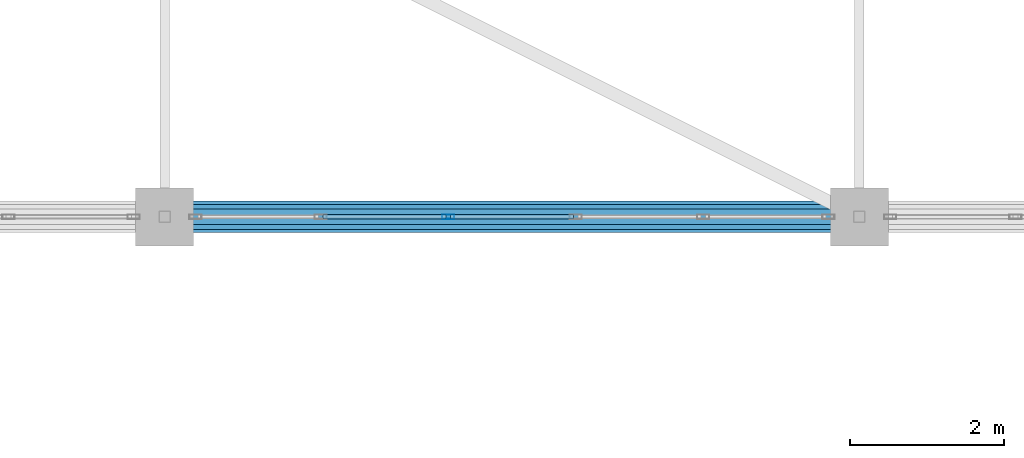
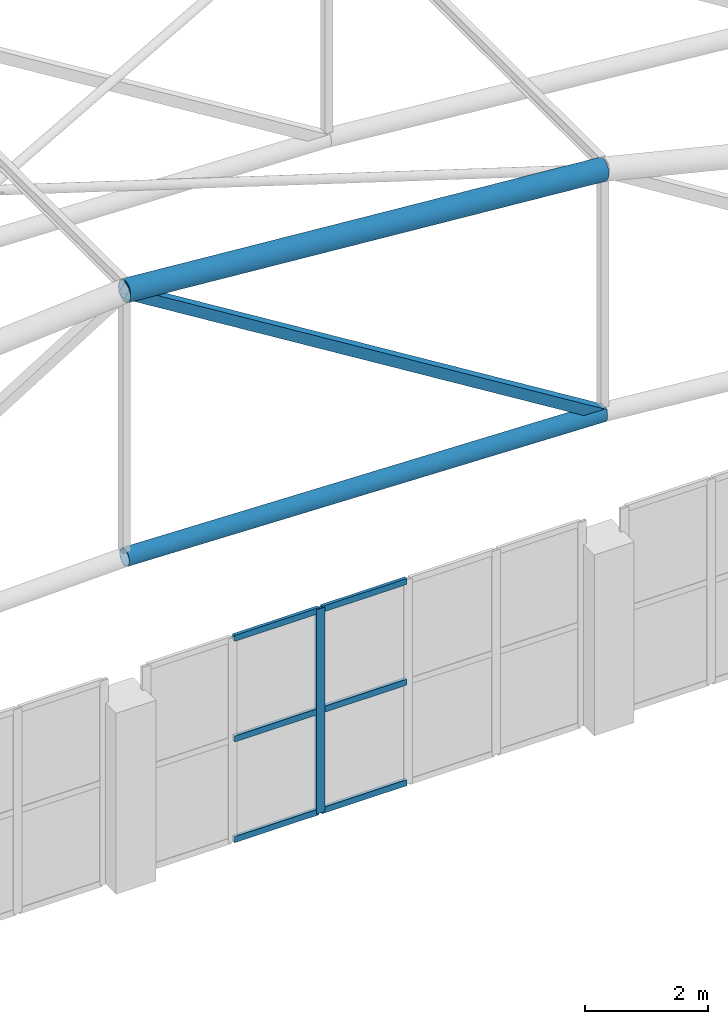
# One storey, part 8 of 167: 10 members, 1 element without a shape of its own.
"""IFC4 building model written with IfcOpenShell, lengths in metres."""

from ifc_helpers import new_model, si_unit, direction, frame, origin, origin_2d, place, context, subcontext, project, spatial, hollow_rectangle, hollow_circle, extrude, material, layer, layer_set, material_profile, profile_set, type_object, element, aggregate, save


model = new_model("IFC4")

# Units and contexts
model_context = context("Model", 3, precision=1e-05, world=origin(), true_north=direction((0.0, 1.0)))
body_context = subcontext(model_context, "Body", "Model", "MODEL_VIEW")
ifc_project = project(units=[si_unit("LENGTHUNIT", "METRE"), si_unit("AREAUNIT", "SQUARE_METRE"), si_unit("VOLUMEUNIT", "CUBIC_METRE"), si_unit("PLANEANGLEUNIT", "RADIAN"), si_unit("MASSUNIT", "GRAM", prefix="KILO")], contexts=[model_context])

# Site, building, storey
site_placement = place(None, origin())
site = spatial("IfcSite", under=ifc_project, at=site_placement, CompositionType="ELEMENT")
building_placement = place(site_placement, origin())
building = spatial("IfcBuilding", under=site, at=building_placement, Name="Dornveld Trade and Exhibition Forum", CompositionType="ELEMENT")
storey_placement = place(building_placement, frame((0.0, 0.0, 16.800048828125)))
storey = spatial("IfcBuildingStorey", under=building, at=storey_placement, Name="L03", CompositionType="ELEMENT", Elevation=16.800048828125)

# Curtain wall, members
ifc_material_1 = material(Name="Dark-bronze anodised aluminium and low-E glass", Category="aluminium")
ifc_layer = layer(ifc_material_1, 0.14501953125)
ifc_layer_set = layer_set([ifc_layer], Name="Dark-bronze anodised aluminium and low-E glass")
curtain_wall_type = type_object("IfcCurtainWallType", Name="CW-SYS-01", PredefinedType="USERDEFINED", material=ifc_layer_set)
curtain_wall_placement = place(storey_placement, origin())
curtain_wall = element("IfcCurtainWall", 1, at=curtain_wall_placement, inside=storey, type_object=curtain_wall_type, Name="L03 unitised curtain wall 37", ObjectType="UNITISED_CURTAIN_WALL", PredefinedType="USERDEFINED")
ifc_material_2 = material(Name="Dark-bronze anodised aluminium", Category="aluminium")
ifc_material_profile_1 = material_profile(ifc_material_2, hollow_rectangle(XDim=0.06005859375, YDim=0.159912109375, WallThickness=0.00390625, at=origin_2d()), Name="RHS 160x60x4")
ifc_profile_set_1 = profile_set([ifc_material_profile_1], Name="Dark-bronze anodised aluminium")
member_type_1 = type_object("IfcMemberType", Name="CW-MUL-160", PredefinedType="MULLION", material=ifc_profile_set_1)
member_1_placement = place(storey_placement, frame((57.67431640625, 36.0, -0.004150390625), z_axis=(0.0, 0.0, 1.0), x_axis=(0.0, 1.0, 0.0)))
member_1 = element("IfcMember", 2, at=member_1_placement, type_object=member_type_1, Name="CW-01 mullion 3", PredefinedType="MULLION", context=body_context, shape_type="SweptSolid", body=[
    extrude(hollow_rectangle(XDim=0.06005859375, YDim=0.159912109375, WallThickness=0.00390625, at=origin_2d()), origin(), (0.0, 0.0, 1.0), 4.064208984375),
])
ifc_material_3 = material(Name="Dark-bronze anodised aluminium", Category="aluminium")
ifc_material_profile_2 = material_profile(ifc_material_3, hollow_rectangle(XDim=0.06005859375, YDim=0.1201171875, WallThickness=0.00390625, at=origin_2d()), Name="RHS 120x60x4")
ifc_profile_set_2 = profile_set([ifc_material_profile_2], Name="Dark-bronze anodised aluminium")
member_type_2 = type_object("IfcMemberType", Name="CW-TRN-120", PredefinedType="USERDEFINED", material=ifc_profile_set_2)
member_2_placement = place(storey_placement, frame((56.052490234375, 36.0, 0.02587890625), z_axis=(1.0, 0.0, 0.0), x_axis=(0.0, 1.0, 0.0)))
member_2 = element("IfcMember", 3, at=member_2_placement, type_object=member_type_2, Name="CW-01 transom 2.1", ObjectType="TRANSOM", PredefinedType="USERDEFINED", context=body_context, shape_type="SweptSolid", body=[
    extrude(hollow_rectangle(XDim=0.06005859375, YDim=0.1201171875, WallThickness=0.00390625, at=origin_2d()), origin(), (0.0, 0.0, 1.0), 1.591796875),
])
member_3_placement = place(storey_placement, frame((56.052490234375, 36.0, 2.02783203125), z_axis=(1.0, 0.0, 0.0), x_axis=(0.0, 1.0, 0.0)))
member_3 = element("IfcMember", 4, at=member_3_placement, type_object=member_type_2, Name="CW-01 transom 2.2", ObjectType="TRANSOM", PredefinedType="USERDEFINED", context=body_context, shape_type="SweptSolid", body=[
    extrude(hollow_rectangle(XDim=0.06005859375, YDim=0.1201171875, WallThickness=0.00390625, at=origin_2d()), origin(), (0.0, 0.0, 1.0), 1.591796875),
])
member_4_placement = place(storey_placement, frame((56.052490234375, 36.0, 4.030029296875), z_axis=(1.0, 0.0, 0.0), x_axis=(0.0, 1.0, 0.0)))
member_4 = element("IfcMember", 5, at=member_4_placement, type_object=member_type_2, Name="CW-01 transom 2.3", ObjectType="TRANSOM", PredefinedType="USERDEFINED", context=body_context, shape_type="SweptSolid", body=[
    extrude(hollow_rectangle(XDim=0.06005859375, YDim=0.1201171875, WallThickness=0.00390625, at=origin_2d()), origin(), (0.0, 0.0, 1.0), 1.591796875),
])
member_5_placement = place(storey_placement, frame((57.7041015625, 36.0, 0.02587890625), z_axis=(1.0, 0.0, 0.0), x_axis=(0.0, 1.0, 0.0)))
member_5 = element("IfcMember", 6, at=member_5_placement, type_object=member_type_2, Name="CW-01 transom 3.1", ObjectType="TRANSOM", PredefinedType="USERDEFINED", context=body_context, shape_type="SweptSolid", body=[
    extrude(hollow_rectangle(XDim=0.06005859375, YDim=0.1201171875, WallThickness=0.00390625, at=origin_2d()), origin(), (0.0, 0.0, 1.0), 1.591796875),
])
member_6_placement = place(storey_placement, frame((57.7041015625, 36.0, 2.02783203125), z_axis=(1.0, 0.0, 0.0), x_axis=(0.0, 1.0, 0.0)))
member_6 = element("IfcMember", 7, at=member_6_placement, type_object=member_type_2, Name="CW-01 transom 3.2", ObjectType="TRANSOM", PredefinedType="USERDEFINED", context=body_context, shape_type="SweptSolid", body=[
    extrude(hollow_rectangle(XDim=0.06005859375, YDim=0.1201171875, WallThickness=0.00390625, at=origin_2d()), origin(), (0.0, 0.0, 1.0), 1.591796875),
])
member_7_placement = place(storey_placement, frame((57.7041015625, 36.0, 4.030029296875), z_axis=(1.0, 0.0, 0.0), x_axis=(0.0, 1.0, 0.0)))
member_7 = element("IfcMember", 8, at=member_7_placement, type_object=member_type_2, Name="CW-01 transom 3.3", ObjectType="TRANSOM", PredefinedType="USERDEFINED", context=body_context, shape_type="SweptSolid", body=[
    extrude(hollow_rectangle(XDim=0.06005859375, YDim=0.1201171875, WallThickness=0.00390625, at=origin_2d()), origin(), (0.0, 0.0, 1.0), 1.591796875),
])
aggregate(curtain_wall, [member_1, member_2, member_3, member_4, member_5, member_6, member_7])

# Members
ifc_material_4 = material(Name="Steel S355J2", Category="steel")
ifc_material_profile_3 = material_profile(ifc_material_4, hollow_circle(Radius=0.161865234375, WallThickness=0.01611328125, at=origin_2d()), Name="CHS 323.9x16")
ifc_profile_set_3 = profile_set([ifc_material_profile_3], Name="Steel S355J2")
member_type_3 = type_object("IfcMemberType", Name="MEM-ARCH-BC", PredefinedType="CHORD", material=ifc_profile_set_3)
member_8_placement = place(storey_placement, frame((54.0, 36.0, 6.349853515625), z_axis=(0.999561545365, 0.0, -0.029609407757), x_axis=(0.0, 1.0, 0.0)))
element("IfcMember", 9, at=member_8_placement, inside=storey, type_object=member_type_3, Name="H3 truss 1 tie chord 4", PredefinedType="CHORD", context=body_context, shape_type="SweptSolid", body=[
    extrude(hollow_circle(Radius=0.161865234375, WallThickness=0.01611328125, at=origin_2d()), origin(), (0.0, 0.0, 1.0), 9.00390625),
])
ifc_material_5 = material(Name="Steel S355J2", Category="steel")
ifc_material_profile_4 = material_profile(ifc_material_5, hollow_circle(Radius=0.203125, WallThickness=0.02001953125, at=origin_2d()), Name="CHS 406.4x20")
ifc_profile_set_4 = profile_set([ifc_material_profile_4], Name="Steel S355J2")
member_type_4 = type_object("IfcMemberType", Name="MEM-ARCH-TC", PredefinedType="CHORD", material=ifc_profile_set_4)
member_9_placement = place(storey_placement, frame((54.0, 36.0, 11.64990234375), z_axis=(0.996698427641, 0.0, -0.081192637213), x_axis=(0.0, 1.0, 0.0)))
element("IfcMember", 10, at=member_9_placement, inside=storey, type_object=member_type_4, Name="H3 truss 1 top chord 4", PredefinedType="CHORD", context=body_context, shape_type="SweptSolid", body=[
    extrude(hollow_circle(Radius=0.203125, WallThickness=0.02001953125, at=origin_2d()), origin(), (0.0, 0.0, 1.0), 9.02978515625),
])
ifc_material_6 = material(Name="Steel S355J2", Category="steel")
ifc_material_profile_5 = material_profile(ifc_material_6, hollow_rectangle(XDim=0.199951171875, YDim=0.199951171875, WallThickness=0.010009765625, at=origin_2d()), Name="SHS 200x200x10")
ifc_profile_set_5 = profile_set([ifc_material_profile_5], Name="Steel S355J2")
member_type_5 = type_object("IfcMemberType", Name="MEM-ARCH-WEB", PredefinedType="BRACE", material=ifc_profile_set_5)
member_10_placement = place(storey_placement, frame((63.0, 36.0, 6.083251953125), z_axis=(-0.850467158024, 0.0, 0.526028148603), x_axis=(0.0, -1.0, 0.0)))
element("IfcMember", 11, at=member_10_placement, inside=storey, type_object=member_type_5, Name="H3 truss 1 web 4", PredefinedType="BRACE", context=body_context, shape_type="SweptSolid", body=[
    extrude(hollow_rectangle(XDim=0.199951171875, YDim=0.199951171875, WallThickness=0.010009765625, at=origin_2d()), origin(), (0.0, 0.0, 1.0), 10.58251953125),
])

save(model, "model.ifc")
